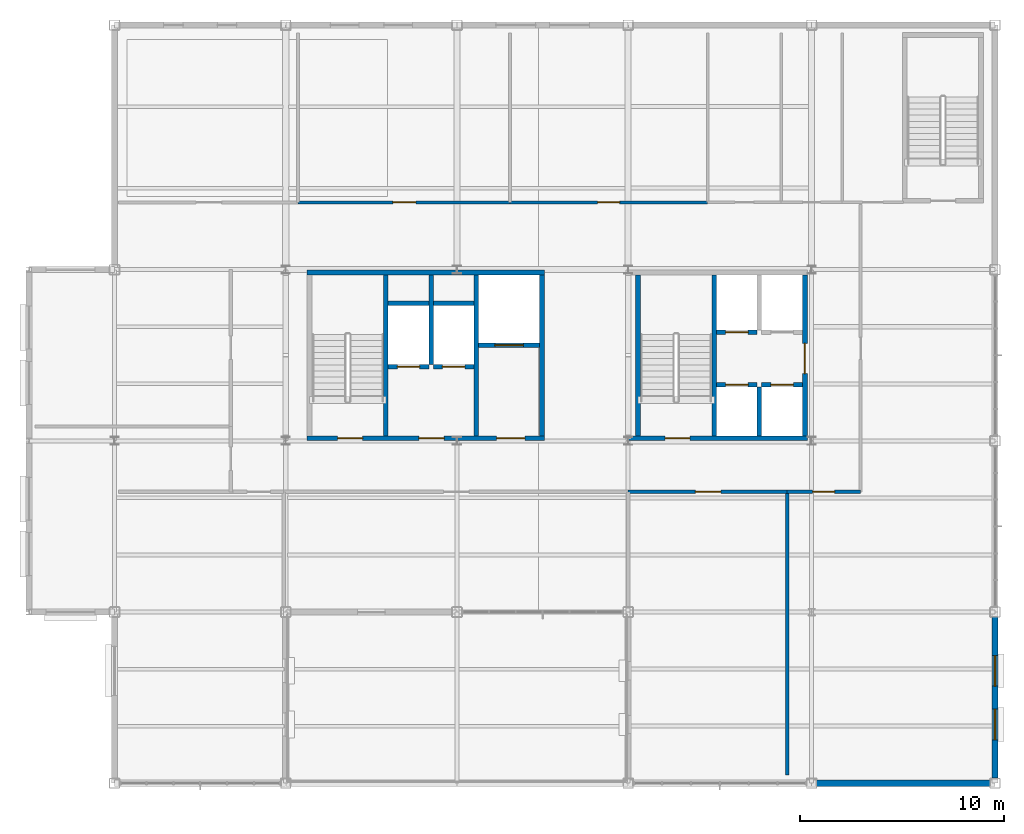
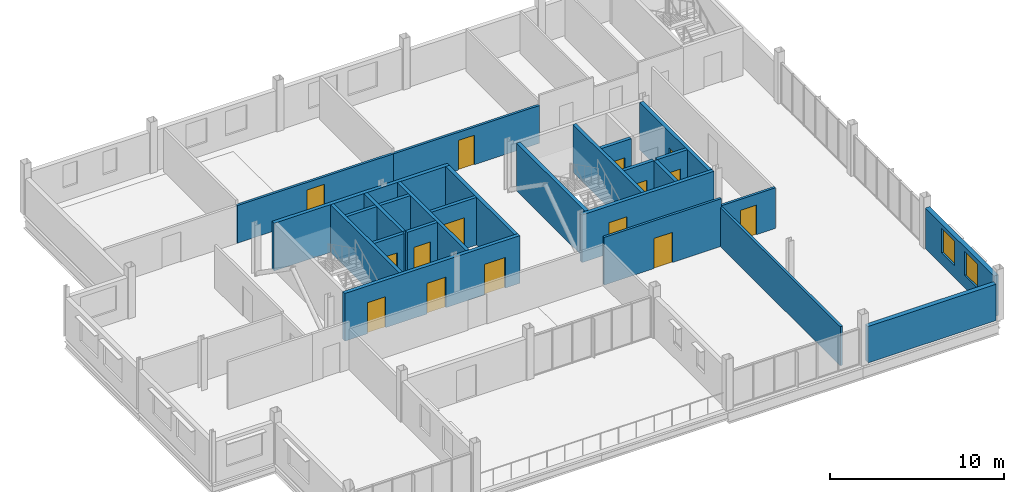
# One storey, part 14 of 20: 26 walls, 15 doors, 2 windows, 17 openings.
"""IFC4 building model written with IfcOpenShell, lengths in metres."""

from ifc_helpers import new_model, si_unit, direction, frame, frame_2d, origin, place, context, subcontext, project, spatial, rectangle, extrude, material, layer, layer_set, type_object, element, fill, save


model = new_model("IFC4")

# Units and contexts
model_context = context("Model", 3, precision=1e-05, world=origin(), true_north=direction((0.0, 1.0)))
body_context = subcontext(model_context, "Body", "Model", "MODEL_VIEW")
ifc_project = project(units=[si_unit("LENGTHUNIT", "METRE"), si_unit("AREAUNIT", "SQUARE_METRE"), si_unit("VOLUMEUNIT", "CUBIC_METRE"), si_unit("PLANEANGLEUNIT", "RADIAN"), si_unit("MASSUNIT", "GRAM", prefix="KILO")], contexts=[model_context])

# Site, building, storey
site_placement = place(None, origin())
site = spatial("IfcSite", under=ifc_project, at=site_placement, CompositionType="ELEMENT")
building_placement = place(site_placement, origin())
building = spatial("IfcBuilding", under=site, at=building_placement, Name="Yukiwa Park Conservatory and Herbarium", CompositionType="ELEMENT")
storey_placement = place(building_placement, frame((0.0, 0.0, 28.199951171875)))
storey = spatial("IfcBuildingStorey", under=building, at=storey_placement, Name="L07", CompositionType="ELEMENT", Elevation=28.199951171875)

# Walls
ifc_material_1 = material(Name="Concrete C40", Category="concrete")
ifc_layer_1 = layer(ifc_material_1, 0.219970703125)
ifc_layer_set_1 = layer_set([ifc_layer_1], Name="Concrete C40")
wall_type_1 = type_object("IfcWallType", Name="WL-CORE-RC220", PredefinedType="SHEAR", material=ifc_layer_set_1)
wall_1_placement = place(storey_placement, frame((138.110107421875, 95.050048828125, 0.0), z_axis=(0.0, 0.0, 1.0), x_axis=(0.0, 1.0, 0.0)))
element("IfcWall", 1, at=wall_1_placement, inside=storey, type_object=wall_type_1, Name="L07 core shear wall 473", PredefinedType="SHEAR", context=body_context, shape_type="SweptSolid", body=[
    extrude(rectangle(XDim=7.89990234375, YDim=0.219970703125, at=frame_2d((3.949951171875, 0.0))), origin(), (0.0, 0.0, 1.0), 3.35205078125),
])
wall_2_placement = place(storey_placement, frame((140.330078125, 98.5400390625, 0.0), z_axis=(0.0, 0.0, 1.0), x_axis=(0.0, 1.0, 0.0)))
element("IfcWall", 2, at=wall_2_placement, inside=storey, type_object=wall_type_1, Name="L07 core shear wall 474", PredefinedType="SHEAR", context=body_context, shape_type="SweptSolid", body=[
    extrude(rectangle(XDim=4.409912109375, YDim=0.219970703125, at=frame_2d((2.205078125, 0.0))), origin(), (0.0, 0.0, 1.0), 3.35205078125),
])
wall_3_placement = place(storey_placement, frame((142.550048828125, 95.050048828125, 0.0), z_axis=(0.0, 0.0, 1.0), x_axis=(0.0, 1.0, 0.0)))
element("IfcWall", 3, at=wall_3_placement, inside=storey, type_object=wall_type_1, Name="L07 core shear wall 475", PredefinedType="SHEAR", context=body_context, shape_type="SweptSolid", body=[
    extrude(rectangle(XDim=7.89990234375, YDim=0.219970703125, at=frame_2d((3.949951171875, 0.0))), origin(), (0.0, 0.0, 1.0), 3.35205078125),
])

# Wall, opening, door
wall_4_placement = place(storey_placement, frame((138.219970703125, 98.429931640625, 0.0), z_axis=(0.0, 0.0, 1.0), x_axis=(1.0, 0.0, 0.0)))
wall_4 = element("IfcWall", 4, at=wall_4_placement, inside=storey, type_object=wall_type_1, Name="L07 core shear wall 477", PredefinedType="SHEAR", context=body_context, shape_type="SweptSolid", body=[
    extrude(rectangle(XDim=2.0, YDim=0.219970703125, at=frame_2d((1.0, 0.0))), origin(), (0.0, 0.0, 1.0), 3.35205078125),
])
opening_1_placement = place(wall_4_placement, frame((0.449951171875, 0.0, 0.0)))
opening_1 = element("IfcOpeningElement", 5, at=opening_1_placement, cuts=wall_4, Name="Opening LD-01", PredefinedType="OPENING", context=body_context, shape_type="SweptSolid", body=[
    extrude(rectangle(XDim=1.10009765625, YDim=2.14990234375, at=frame_2d((0.550048828125, 1.074951171875))), frame((0.0, 0.1201171875, 0.0), z_axis=(0.0, -1.0, 0.0), x_axis=(1.0, 0.0, 0.0)), (0.0, 0.0, 1.0), 0.239990234375),
])
ifc_material_2 = material(Name="Steel Q235B", Category="steel")
door_type_1 = type_object("IfcDoorType", Name="DR-LIFT-LD1100", OperationType="SLIDING_TO_LEFT", PredefinedType="DOOR", material=ifc_material_2)
door_1_placement = place(opening_1_placement, origin())
door_1 = element("IfcDoor", 6, at=door_1_placement, inside=storey, type_object=door_type_1, Name="L07 Firefighting Lift FL1 sliding landing door", OperationType="SLIDING_TO_LEFT", OverallHeight=2.14990234375, OverallWidth=1.10009765625, PredefinedType="DOOR", context=body_context, shape_type="SweptSolid", body=[
    extrude(rectangle(XDim=1.10009765625, YDim=2.14990234375, at=frame_2d((0.550048828125, 1.074951171875))), frame((0.0, 0.02490234375, 0.0), z_axis=(0.0, -1.0, 0.0), x_axis=(1.0, 0.0, 0.0)), (0.0, 0.0, 1.0), 0.050048828125),
])
fill(opening_1, door_1)

wall_5_placement = place(storey_placement, frame((140.43994140625, 98.429931640625, 0.0), z_axis=(0.0, 0.0, 1.0), x_axis=(1.0, 0.0, 0.0)))
wall_5 = element("IfcWall", 7, at=wall_5_placement, inside=storey, type_object=wall_type_1, Name="L07 core shear wall 478", PredefinedType="SHEAR", context=body_context, shape_type="SweptSolid", body=[
    extrude(rectangle(XDim=2.0, YDim=0.219970703125, at=frame_2d((1.0, 0.0))), origin(), (0.0, 0.0, 1.0), 3.35205078125),
])
opening_2_placement = place(wall_5_placement, frame((0.449951171875, 0.0, 0.0)))
opening_2 = element("IfcOpeningElement", 8, at=opening_2_placement, cuts=wall_5, Name="Opening LD-01", PredefinedType="OPENING", context=body_context, shape_type="SweptSolid", body=[
    extrude(rectangle(XDim=1.10009765625, YDim=2.14990234375, at=frame_2d((0.550048828125, 1.074951171875))), frame((0.0, 0.1201171875, 0.0), z_axis=(0.0, -1.0, 0.0), x_axis=(1.0, 0.0, 0.0)), (0.0, 0.0, 1.0), 0.239990234375),
])
door_2_placement = place(opening_2_placement, origin())
door_2 = element("IfcDoor", 9, at=door_2_placement, inside=storey, type_object=door_type_1, Name="L07 Firefighting Lift FL2 sliding landing door", OperationType="SLIDING_TO_LEFT", OverallHeight=2.14990234375, OverallWidth=1.10009765625, PredefinedType="DOOR", context=body_context, shape_type="SweptSolid", body=[
    extrude(rectangle(XDim=1.10009765625, YDim=2.14990234375, at=frame_2d((0.550048828125, 1.074951171875))), frame((0.0, 0.02490234375, 0.0), z_axis=(0.0, -1.0, 0.0), x_axis=(1.0, 0.0, 0.0)), (0.0, 0.0, 1.0), 0.050048828125),
])
fill(opening_2, door_2)

# Walls
for number, where, z_axis, x_axis, name in (
    (10, (138.219970703125, 101.550048828125, 0.0), (0.0, 0.0, 1.0), (1.0, 0.0, 0.0), "L07 core shear wall 479"),
    (11, (140.43994140625, 101.550048828125, 0.0), (0.0, 0.0, 1.0), (1.0, 0.0, 0.0), "L07 core shear wall 480"),
):
    element("IfcWall", number, at=place(storey_placement, frame(where, z_axis=z_axis, x_axis=x_axis)), inside=storey, type_object=wall_type_1, Name=name, PredefinedType="SHEAR", context=body_context, shape_type="SweptSolid", body=[
        extrude(rectangle(XDim=2.0, YDim=0.219970703125, at=frame_2d((1.0, 0.0))), origin(), (0.0, 0.0, 1.0), 3.35205078125),
    ])

# Wall, opening, door
wall_6_placement = place(storey_placement, frame((142.659912109375, 99.489990234375, 0.0), z_axis=(0.0, 0.0, 1.0), x_axis=(1.0, 0.0, 0.0)))
wall_6 = element("IfcWall", 12, at=wall_6_placement, inside=storey, type_object=wall_type_1, Name="L07 core shear wall 481", PredefinedType="SHEAR", context=body_context, shape_type="SweptSolid", body=[
    extrude(rectangle(XDim=3.0, YDim=0.219970703125, at=frame_2d((1.5, 0.0))), origin(), (0.0, 0.0, 1.0), 3.35205078125),
])
opening_3_placement = place(wall_6_placement, frame((0.800048828125, 0.0, 0.0)))
opening_3 = element("IfcOpeningElement", 13, at=opening_3_placement, cuts=wall_6, Name="Opening LD-02", PredefinedType="OPENING", context=body_context, shape_type="SweptSolid", body=[
    extrude(rectangle(XDim=1.39990234375, YDim=2.199951171875, at=frame_2d((0.699951171875, 1.10009765625))), frame((0.0, 0.1201171875, 0.0), z_axis=(0.0, -1.0, 0.0), x_axis=(1.0, 0.0, 0.0)), (0.0, 0.0, 1.0), 0.239990234375),
])
ifc_material_3 = material(Name="Steel Q235B", Category="steel")
door_type_2 = type_object("IfcDoorType", Name="DR-LIFT-LD1400", OperationType="SLIDING_TO_LEFT", PredefinedType="DOOR", material=ifc_material_3)
door_3_placement = place(opening_3_placement, origin())
door_3 = element("IfcDoor", 14, at=door_3_placement, inside=storey, type_object=door_type_2, Name="L07 Goods Lift GL1 sliding landing door", OperationType="SLIDING_TO_LEFT", OverallHeight=2.199951171875, OverallWidth=1.39990234375, PredefinedType="DOOR", context=body_context, shape_type="SweptSolid", body=[
    extrude(rectangle(XDim=1.39990234375, YDim=2.199951171875, at=frame_2d((0.699951171875, 1.10009765625))), frame((0.0, 0.02490234375, 0.0), z_axis=(0.0, -1.0, 0.0), x_axis=(1.0, 0.0, 0.0)), (0.0, 0.0, 1.0), 0.050048828125),
])
fill(opening_3, door_3)

# Wall
wall_7_placement = place(storey_placement, frame((154.219970703125, 95.050048828125, 0.0), z_axis=(0.0, 0.0, 1.0), x_axis=(0.0, 1.0, 0.0)))
element("IfcWall", 15, at=wall_7_placement, inside=storey, type_object=wall_type_1, Name="L07 core shear wall 485", PredefinedType="SHEAR", context=body_context, shape_type="SweptSolid", body=[
    extrude(rectangle(XDim=7.89990234375, YDim=0.219970703125, at=frame_2d((3.949951171875, 0.0))), origin(), (0.0, 0.0, 1.0), 3.35205078125),
])

# Wall, opening, door
wall_8_placement = place(storey_placement, frame((154.330078125, 100.139892578125, 0.0), z_axis=(0.0, 0.0, 1.0), x_axis=(1.0, 0.0, 0.0)))
wall_8 = element("IfcWall", 16, at=wall_8_placement, inside=storey, type_object=wall_type_1, Name="L07 core shear wall 488", PredefinedType="SHEAR", context=body_context, shape_type="SweptSolid", body=[
    extrude(rectangle(XDim=2.0, YDim=0.219970703125, at=frame_2d((1.0, 0.0))), origin(), (0.0, 0.0, 1.0), 3.35205078125),
])
opening_4_placement = place(wall_8_placement, frame((0.449951171875, 0.0, 0.0)))
opening_4 = element("IfcOpeningElement", 17, at=opening_4_placement, cuts=wall_8, Name="Opening LD-01", PredefinedType="OPENING", context=body_context, shape_type="SweptSolid", body=[
    extrude(rectangle(XDim=1.10009765625, YDim=2.14990234375, at=frame_2d((0.550048828125, 1.074951171875))), frame((0.0, 0.1201171875, 0.0), z_axis=(0.0, -1.0, 0.0), x_axis=(1.0, 0.0, 0.0)), (0.0, 0.0, 1.0), 0.239990234375),
])
door_4_placement = place(opening_4_placement, origin())
door_4 = element("IfcDoor", 18, at=door_4_placement, inside=storey, type_object=door_type_1, Name="L07 Passenger Lift LP1 sliding landing door", OperationType="SLIDING_TO_LEFT", OverallHeight=2.14990234375, OverallWidth=1.10009765625, PredefinedType="DOOR", context=body_context, shape_type="SweptSolid", body=[
    extrude(rectangle(XDim=1.10009765625, YDim=2.14990234375, at=frame_2d((0.550048828125, 1.074951171875))), frame((0.0, 0.02490234375, 0.0), z_axis=(0.0, -1.0, 0.0), x_axis=(1.0, 0.0, 0.0)), (0.0, 0.0, 1.0), 0.050048828125),
])
fill(opening_4, door_4)

# Wall
wall_9_placement = place(storey_placement, frame((156.43994140625, 95.050048828125, 0.0), z_axis=(0.0, 0.0, 1.0), x_axis=(0.0, 1.0, 0.0)))
element("IfcWall", 19, at=wall_9_placement, inside=storey, type_object=wall_type_1, Name="L07 core shear wall 490", PredefinedType="SHEAR", context=body_context, shape_type="SweptSolid", body=[
    extrude(rectangle(XDim=2.39990234375, YDim=0.219970703125, at=frame_2d((1.199951171875, 0.0))), origin(), (0.0, 0.0, 1.0), 3.35205078125),
])

# Wall, opening, door
wall_10_placement = place(storey_placement, frame((154.330078125, 97.56005859375, 0.0), z_axis=(0.0, 0.0, 1.0), x_axis=(1.0, 0.0, 0.0)))
wall_10 = element("IfcWall", 20, at=wall_10_placement, inside=storey, type_object=wall_type_1, Name="L07 core shear wall 491", PredefinedType="SHEAR", context=body_context, shape_type="SweptSolid", body=[
    extrude(rectangle(XDim=2.0, YDim=0.219970703125, at=frame_2d((1.0, 0.0))), origin(), (0.0, 0.0, 1.0), 3.35205078125),
])
opening_5_placement = place(wall_10_placement, frame((0.449951171875, 0.0, 0.0)))
opening_5 = element("IfcOpeningElement", 21, at=opening_5_placement, cuts=wall_10, Name="Opening LD-01", PredefinedType="OPENING", context=body_context, shape_type="SweptSolid", body=[
    extrude(rectangle(XDim=1.10009765625, YDim=2.14990234375, at=frame_2d((0.550048828125, 1.074951171875))), frame((0.0, 0.1201171875, 0.0), z_axis=(0.0, -1.0, 0.0), x_axis=(1.0, 0.0, 0.0)), (0.0, 0.0, 1.0), 0.239990234375),
])
door_5_placement = place(opening_5_placement, origin())
door_5 = element("IfcDoor", 22, at=door_5_placement, inside=storey, type_object=door_type_1, Name="L07 Passenger Lift LP3 sliding landing door", OperationType="SLIDING_TO_LEFT", OverallHeight=2.14990234375, OverallWidth=1.10009765625, PredefinedType="DOOR", context=body_context, shape_type="SweptSolid", body=[
    extrude(rectangle(XDim=1.10009765625, YDim=2.14990234375, at=frame_2d((0.550048828125, 1.074951171875))), frame((0.0, 0.02490234375, 0.0), z_axis=(0.0, -1.0, 0.0), x_axis=(1.0, 0.0, 0.0)), (0.0, 0.0, 1.0), 0.050048828125),
])
fill(opening_5, door_5)

wall_11_placement = place(storey_placement, frame((156.550048828125, 97.56005859375, 0.0), z_axis=(0.0, 0.0, 1.0), x_axis=(1.0, 0.0, 0.0)))
wall_11 = element("IfcWall", 23, at=wall_11_placement, inside=storey, type_object=wall_type_1, Name="L07 core shear wall 492", PredefinedType="SHEAR", context=body_context, shape_type="SweptSolid", body=[
    extrude(rectangle(XDim=2.0, YDim=0.219970703125, at=frame_2d((1.0, 0.0))), origin(), (0.0, 0.0, 1.0), 3.35205078125),
])
opening_6_placement = place(wall_11_placement, frame((0.449951171875, 0.0, 0.0)))
opening_6 = element("IfcOpeningElement", 24, at=opening_6_placement, cuts=wall_11, Name="Opening LD-01", PredefinedType="OPENING", context=body_context, shape_type="SweptSolid", body=[
    extrude(rectangle(XDim=1.10009765625, YDim=2.14990234375, at=frame_2d((0.550048828125, 1.074951171875))), frame((0.0, 0.1201171875, 0.0), z_axis=(0.0, -1.0, 0.0), x_axis=(1.0, 0.0, 0.0)), (0.0, 0.0, 1.0), 0.239990234375),
])
door_6_placement = place(opening_6_placement, origin())
door_6 = element("IfcDoor", 25, at=door_6_placement, inside=storey, type_object=door_type_1, Name="L07 Passenger Lift LP4 sliding landing door", OperationType="SLIDING_TO_LEFT", OverallHeight=2.14990234375, OverallWidth=1.10009765625, PredefinedType="DOOR", context=body_context, shape_type="SweptSolid", body=[
    extrude(rectangle(XDim=1.10009765625, YDim=2.14990234375, at=frame_2d((0.550048828125, 1.074951171875))), frame((0.0, 0.02490234375, 0.0), z_axis=(0.0, -1.0, 0.0), x_axis=(1.0, 0.0, 0.0)), (0.0, 0.0, 1.0), 0.050048828125),
])
fill(opening_6, door_6)

# Wall, openings, doors
ifc_material_4 = material(Name="Concrete C50", Category="concrete")
ifc_layer_2 = layer(ifc_material_4, 0.239990234375)
ifc_layer_set_2 = layer_set([ifc_layer_2], Name="Concrete C50")
wall_type_2 = type_object("IfcWallType", Name="WL-CORE-RC240", PredefinedType="SHEAR", material=ifc_layer_set_2)
wall_12_placement = place(storey_placement, frame((134.25, 94.929931640625, 0.0), z_axis=(0.0, 0.0, 1.0), x_axis=(1.0, 0.0, 0.0)))
wall_12 = element("IfcWall", 26, at=wall_12_placement, inside=storey, type_object=wall_type_2, Name="L07 core shear wall 470", PredefinedType="SHEAR", context=body_context, shape_type="SweptSolid", body=[
    extrude(rectangle(XDim=11.64990234375, YDim=0.239990234375, at=frame_2d((5.824951171875, 0.0))), origin(), (0.0, 0.0, 1.0), 3.35205078125),
])
opening_7_placement = place(wall_12_placement, frame((1.5, 0.0, 0.0)))
opening_7 = element("IfcOpeningElement", 27, at=opening_7_placement, cuts=wall_12, Name="Opening SD-01", PredefinedType="OPENING", context=body_context, shape_type="SweptSolid", body=[
    extrude(rectangle(XDim=1.219970703125, YDim=2.179931640625, at=frame_2d((0.60986328125, 1.08984375))), frame((0.0, 0.1298828125, 0.0), z_axis=(0.0, -1.0, 0.0), x_axis=(1.0, 0.0, 0.0)), (0.0, 0.0, 1.0), 0.260009765625),
])
opening_8_placement = place(wall_12_placement, frame((5.47998046875, 0.0, 0.0)))
opening_8 = element("IfcOpeningElement", 28, at=opening_8_placement, cuts=wall_12, Name="Opening FD-02", PredefinedType="OPENING", context=body_context, shape_type="SweptSolid", body=[
    extrude(rectangle(XDim=1.239990234375, YDim=2.14990234375, at=frame_2d((0.6201171875, 1.074951171875))), frame((0.0, 0.1298828125, 0.0), z_axis=(0.0, -1.0, 0.0), x_axis=(1.0, 0.0, 0.0)), (0.0, 0.0, 1.0), 0.260009765625),
])
opening_9_placement = place(wall_12_placement, frame((9.300048828125, 0.0, 0.0)))
opening_9 = element("IfcOpeningElement", 29, at=opening_9_placement, cuts=wall_12, Name="Opening FD-06", PredefinedType="OPENING", context=body_context, shape_type="SweptSolid", body=[
    extrude(rectangle(XDim=1.3798828125, YDim=2.14990234375, at=frame_2d((0.68994140625, 1.074951171875))), frame((0.0, 0.1298828125, 0.0), z_axis=(0.0, -1.0, 0.0), x_axis=(1.0, 0.0, 0.0)), (0.0, 0.0, 1.0), 0.260009765625),
])
ifc_material_5 = material(Name="Steel Q235B", Category="steel")
door_type_3 = type_object("IfcDoorType", Name="DR-FIRE-FD60-1400", OperationType="DOUBLE_DOOR_SINGLE_SWING", PredefinedType="DOOR", material=ifc_material_5)
door_7_placement = place(opening_9_placement, frame((1.3798828125, 0.0, 0.0), z_axis=(0.0, 0.0, 1.0), x_axis=(-1.0, 0.0, 0.0)))
door_7 = element("IfcDoor", 30, at=door_7_placement, inside=storey, type_object=door_type_3, Name="L07 Goods Lift Lobby double fire door", OperationType="DOUBLE_DOOR_SINGLE_SWING", OverallHeight=2.14990234375, OverallWidth=1.3798828125, PredefinedType="DOOR", context=body_context, shape_type="SweptSolid", body=[
    extrude(rectangle(XDim=1.3798828125, YDim=2.14990234375, at=frame_2d((0.68994140625, 1.074951171875))), frame((0.0, 0.02490234375, 0.0), z_axis=(0.0, -1.0, 0.0), x_axis=(1.0, 0.0, 0.0)), (0.0, 0.0, 1.0), 0.050048828125),
])
fill(opening_9, door_7)
ifc_material_6 = material(Name="Steel Q235B", Category="steel")
door_type_4 = type_object("IfcDoorType", Name="DR-FIRE-FD90-1200", OperationType="SINGLE_SWING_RIGHT", PredefinedType="DOOR", material=ifc_material_6)
door_8_placement = place(opening_8_placement, frame((1.239990234375, 0.0, 0.0), z_axis=(0.0, 0.0, 1.0), x_axis=(-1.0, 0.0, 0.0)))
door_8 = element("IfcDoor", 31, at=door_8_placement, inside=storey, type_object=door_type_4, Name="L07 Firefighting Lift Lobby fire door", OperationType="SINGLE_SWING_RIGHT", OverallHeight=2.14990234375, OverallWidth=1.239990234375, PredefinedType="DOOR", context=body_context, shape_type="SweptSolid", body=[
    extrude(rectangle(XDim=1.239990234375, YDim=2.14990234375, at=frame_2d((0.6201171875, 1.074951171875))), frame((0.0, 0.02490234375, 0.0), z_axis=(0.0, -1.0, 0.0), x_axis=(1.0, 0.0, 0.0)), (0.0, 0.0, 1.0), 0.050048828125),
])
fill(opening_8, door_8)
ifc_material_7 = material(Name="Steel Q235B", Category="steel")
door_type_5 = type_object("IfcDoorType", Name="DR-STAIR-FD90-1200", OperationType="SINGLE_SWING_LEFT", PredefinedType="DOOR", material=ifc_material_7)
door_9_placement = place(opening_7_placement, origin())
door_9 = element("IfcDoor", 32, at=door_9_placement, inside=storey, type_object=door_type_5, Name="L07 Stairwell ST-T1 fire door", OperationType="SINGLE_SWING_LEFT", OverallHeight=2.179931640625, OverallWidth=1.219970703125, PredefinedType="DOOR", context=body_context, shape_type="SweptSolid", body=[
    extrude(rectangle(XDim=1.219970703125, YDim=2.179931640625, at=frame_2d((0.60986328125, 1.08984375))), frame((0.0, 0.02490234375, 0.0), z_axis=(0.0, -1.0, 0.0), x_axis=(1.0, 0.0, 0.0)), (0.0, 0.0, 1.0), 0.050048828125),
])
fill(opening_7, door_9)

# Walls
wall_13_placement = place(storey_placement, frame((134.25, 103.070068359375, 0.0), z_axis=(0.0, 0.0, 1.0), x_axis=(1.0, 0.0, 0.0)))
element("IfcWall", 33, at=wall_13_placement, inside=storey, type_object=wall_type_2, Name="L07 core shear wall 471", PredefinedType="SHEAR", context=body_context, shape_type="SweptSolid", body=[
    extrude(rectangle(XDim=11.64990234375, YDim=0.239990234375, at=frame_2d((5.824951171875, 0.0))), origin(), (0.0, 0.0, 1.0), 3.35205078125),
])
wall_14_placement = place(storey_placement, frame((145.780029296875, 95.050048828125, 0.0), z_axis=(0.0, 0.0, 1.0), x_axis=(0.0, 1.0, 0.0)))
element("IfcWall", 34, at=wall_14_placement, inside=storey, type_object=wall_type_2, Name="L07 core shear wall 476", PredefinedType="SHEAR", context=body_context, shape_type="SweptSolid", body=[
    extrude(rectangle(XDim=7.89990234375, YDim=0.239990234375, at=frame_2d((3.949951171875, 0.0))), origin(), (0.0, 0.0, 1.0), 3.35205078125),
])

# Wall, opening, door
wall_15_placement = place(storey_placement, frame((150.02001953125, 94.929931640625, 0.0), z_axis=(0.0, 0.0, 1.0), x_axis=(1.0, 0.0, 0.0)))
wall_15 = element("IfcWall", 35, at=wall_15_placement, inside=storey, type_object=wall_type_2, Name="L07 core shear wall 482", PredefinedType="SHEAR", context=body_context, shape_type="SweptSolid", body=[
    extrude(rectangle(XDim=8.77001953125, YDim=0.239990234375, at=frame_2d((4.385009765625, 0.0))), origin(), (0.0, 0.0, 1.0), 3.35205078125),
])
opening_10_placement = place(wall_15_placement, frame((1.7900390625, 0.0, 0.0)))
opening_10 = element("IfcOpeningElement", 36, at=opening_10_placement, cuts=wall_15, Name="Opening SD-01", PredefinedType="OPENING", context=body_context, shape_type="SweptSolid", body=[
    extrude(rectangle(XDim=1.219970703125, YDim=2.179931640625, at=frame_2d((0.60986328125, 1.08984375))), frame((0.0, 0.1298828125, 0.0), z_axis=(0.0, -1.0, 0.0), x_axis=(1.0, 0.0, 0.0)), (0.0, 0.0, 1.0), 0.260009765625),
])
door_10_placement = place(opening_10_placement, origin())
door_10 = element("IfcDoor", 37, at=door_10_placement, inside=storey, type_object=door_type_5, Name="L07 Stairwell ST-T2 fire door", OperationType="SINGLE_SWING_LEFT", OverallHeight=2.179931640625, OverallWidth=1.219970703125, PredefinedType="DOOR", context=body_context, shape_type="SweptSolid", body=[
    extrude(rectangle(XDim=1.219970703125, YDim=2.179931640625, at=frame_2d((0.60986328125, 1.08984375))), frame((0.0, 0.02490234375, 0.0), z_axis=(0.0, -1.0, 0.0), x_axis=(1.0, 0.0, 0.0)), (0.0, 0.0, 1.0), 0.050048828125),
])
fill(opening_10, door_10)

# Wall
wall_16_placement = place(storey_placement, frame((150.47998046875, 95.050048828125, 0.0), z_axis=(0.0, 0.0, 1.0), x_axis=(0.0, 1.0, 0.0)))
element("IfcWall", 38, at=wall_16_placement, inside=storey, type_object=wall_type_2, Name="L07 core shear wall 484", PredefinedType="SHEAR", context=body_context, shape_type="SweptSolid", body=[
    extrude(rectangle(XDim=7.89990234375, YDim=0.239990234375, at=frame_2d((3.949951171875, 0.0))), origin(), (0.0, 0.0, 1.0), 3.35205078125),
])

# Wall, opening, door
wall_17_placement = place(storey_placement, frame((158.669921875, 95.050048828125, 0.0), z_axis=(0.0, 0.0, 1.0), x_axis=(0.0, 1.0, 0.0)))
wall_17 = element("IfcWall", 39, at=wall_17_placement, inside=storey, type_object=wall_type_2, Name="L07 core shear wall 486", PredefinedType="SHEAR", context=body_context, shape_type="SweptSolid", body=[
    extrude(rectangle(XDim=7.89990234375, YDim=0.239990234375, at=frame_2d((3.949951171875, 0.0))), origin(), (0.0, 0.0, 1.0), 3.35205078125),
])
opening_11_placement = place(wall_17_placement, frame((3.050048828125, 0.0, 0.0)))
opening_11 = element("IfcOpeningElement", 40, at=opening_11_placement, cuts=wall_17, Name="Opening FD-07", PredefinedType="OPENING", context=body_context, shape_type="SweptSolid", body=[
    extrude(rectangle(XDim=1.47998046875, YDim=2.219970703125, at=frame_2d((0.739990234375, 1.10986328125))), frame((0.0, 0.1298828125, 0.0), z_axis=(0.0, -1.0, 0.0), x_axis=(1.0, 0.0, 0.0)), (0.0, 0.0, 1.0), 0.260009765625),
])
ifc_material_8 = material(Name="Steel Q235B", Category="steel")
door_type_6 = type_object("IfcDoorType", Name="DR-FIRE-FD60-1500", OperationType="DOUBLE_DOOR_SINGLE_SWING", PredefinedType="DOOR", material=ifc_material_8)
door_11_placement = place(opening_11_placement, origin())
door_11 = element("IfcDoor", 41, at=door_11_placement, inside=storey, type_object=door_type_6, Name="L07 Tower Passenger Lift Lobby double fire door", OperationType="DOUBLE_DOOR_SINGLE_SWING", OverallHeight=2.219970703125, OverallWidth=1.47998046875, PredefinedType="DOOR", context=body_context, shape_type="SweptSolid", body=[
    extrude(rectangle(XDim=1.47998046875, YDim=2.219970703125, at=frame_2d((0.739990234375, 1.10986328125))), frame((0.0, 0.02490234375, 0.0), z_axis=(0.0, -1.0, 0.0), x_axis=(1.0, 0.0, 0.0)), (0.0, 0.0, 1.0), 0.050048828125),
])
fill(opening_11, door_11)

# Wall
ifc_material_9 = material(Name="Pale Granite Cladding", Category="masonry")
ifc_layer_3 = layer(ifc_material_9, 0.300048828125)
ifc_layer_set_3 = layer_set([ifc_layer_3], Name="Pale Granite Cladding")
wall_type_3 = type_object("IfcWallType", Name="WL-EXT-GRAN-300", PredefinedType="SOLIDWALL", material=ifc_layer_set_3)
wall_18_placement = place(storey_placement, frame((159.25, 78.0, 0.0), z_axis=(0.0, 0.0, 1.0), x_axis=(1.0, 0.0, 0.0)))
element("IfcWall", 42, at=wall_18_placement, inside=storey, type_object=wall_type_3, Name="L07 exterior envelope wall 307", PredefinedType="SOLIDWALL", context=body_context, shape_type="SweptSolid", body=[
    extrude(rectangle(XDim=8.5, YDim=0.300048828125, at=frame_2d((4.25, 0.0))), origin(), (0.0, 0.0, 1.0), 2.56005859375),
])

# Wall, openings, windows
wall_19_placement = place(storey_placement, frame((168.0, 78.25, 0.0), z_axis=(0.0, 0.0, 1.0), x_axis=(0.0, 1.0, 0.0)))
wall_19 = element("IfcWall", 43, at=wall_19_placement, inside=storey, type_object=wall_type_3, Name="L07 exterior envelope wall 308", PredefinedType="SOLIDWALL", context=body_context, shape_type="SweptSolid", body=[
    extrude(rectangle(XDim=7.89990234375, YDim=0.300048828125, at=frame_2d((3.949951171875, 0.0))), origin(), (0.0, 0.0, 1.0), 2.85205078125),
])
opening_12_placement = place(wall_19_placement, frame((1.883056640625, 0.0, 0.85009765625)))
opening_12 = element("IfcOpeningElement", 44, at=opening_12_placement, cuts=wall_19, Name="Opening W-05", PredefinedType="OPENING", context=body_context, shape_type="SweptSolid", body=[
    extrude(rectangle(XDim=1.5, YDim=1.699951171875, at=frame_2d((0.75, 0.85009765625))), frame((0.0, 0.16015625, 0.0), z_axis=(0.0, -1.0, 0.0), x_axis=(1.0, 0.0, 0.0)), (0.0, 0.0, 1.0), 0.320068359375),
])
opening_13_placement = place(wall_19_placement, frame((4.51708984375, 0.0, 0.85009765625)))
opening_13 = element("IfcOpeningElement", 45, at=opening_13_placement, cuts=wall_19, Name="Opening W-05", PredefinedType="OPENING", context=body_context, shape_type="SweptSolid", body=[
    extrude(rectangle(XDim=1.5, YDim=1.699951171875, at=frame_2d((0.75, 0.85009765625))), frame((0.0, 0.16015625, 0.0), z_axis=(0.0, -1.0, 0.0), x_axis=(1.0, 0.0, 0.0)), (0.0, 0.0, 1.0), 0.320068359375),
])
ifc_material_10 = material(Name="Triple Low-E Insulated Glass", Category="glass")
window_type = type_object("IfcWindowType", Name="WN-TW-1500X2100", PartitioningType="SINGLE_PANEL", PredefinedType="WINDOW", material=ifc_material_10)
window_1_placement = place(opening_12_placement, origin())
window_1 = element("IfcWindow", 46, at=window_1_placement, inside=storey, type_object=window_type, Name="L07 deep-reveal triple-glazed window 240", OverallHeight=1.699951171875, OverallWidth=1.5, PartitioningType="SINGLE_PANEL", PredefinedType="WINDOW", context=body_context, shape_type="SweptSolid", body=[
    extrude(rectangle(XDim=1.5, YDim=1.699951171875, at=frame_2d((0.75, 0.85009765625))), frame((0.0, 0.030029296875, 0.0), z_axis=(0.0, -1.0, 0.0), x_axis=(1.0, 0.0, 0.0)), (0.0, 0.0, 1.0), 0.06005859375),
])
fill(opening_12, window_1)
window_2_placement = place(opening_13_placement, origin())
window_2 = element("IfcWindow", 47, at=window_2_placement, inside=storey, type_object=window_type, Name="L07 deep-reveal triple-glazed window 241", OverallHeight=1.699951171875, OverallWidth=1.5, PartitioningType="SINGLE_PANEL", PredefinedType="WINDOW", context=body_context, shape_type="SweptSolid", body=[
    extrude(rectangle(XDim=1.5, YDim=1.699951171875, at=frame_2d((0.75, 0.85009765625))), frame((0.0, 0.030029296875, 0.0), z_axis=(0.0, -1.0, 0.0), x_axis=(1.0, 0.0, 0.0)), (0.0, 0.0, 1.0), 0.06005859375),
])
fill(opening_13, window_2)

# Wall, opening, door
ifc_material_11 = material(Name="Gypsum Board Partition", Category="gypsum")
ifc_layer_4 = layer(ifc_material_11, 0.159912109375)
ifc_layer_set_4 = layer_set([ifc_layer_4], Name="Gypsum Board Partition")
wall_type_4 = type_object("IfcWallType", Name="WL-PART-GYP-160", PredefinedType="PARTITIONING", material=ifc_layer_set_4)
wall_20_placement = place(storey_placement, frame((150.0, 92.300048828125, 0.0), z_axis=(0.0, 0.0, 1.0), x_axis=(1.0, 0.0, 0.0)))
wall_20 = element("IfcWall", 48, at=wall_20_placement, inside=storey, type_object=wall_type_4, Name="L07 interior partition wall 509", PredefinedType="PARTITIONING", context=body_context, shape_type="SweptSolid", body=[
    extrude(rectangle(XDim=7.800048828125, YDim=0.159912109375, at=frame_2d((3.89990234375, 0.0))), origin(), (0.0, 0.0, 1.0), 3.35205078125),
])
opening_14_placement = place(wall_20_placement, frame((3.300048828125, 0.0, 0.0)))
opening_14 = element("IfcOpeningElement", 49, at=opening_14_placement, cuts=wall_20, Name="Opening LD-12", PredefinedType="OPENING", context=body_context, shape_type="SweptSolid", body=[
    extrude(rectangle(XDim=1.25, YDim=2.1201171875, at=frame_2d((0.625, 1.06005859375))), frame((0.0, 0.08984375, 0.0), z_axis=(0.0, -1.0, 0.0), x_axis=(1.0, 0.0, 0.0)), (0.0, 0.0, 1.0), 0.179931640625),
])
ifc_material_12 = material(Name="Steel Q235B", Category="steel")
door_type_7 = type_object("IfcDoorType", Name="DR-LAB-1200", OperationType="SINGLE_SWING_LEFT", PredefinedType="DOOR", material=ifc_material_12)
door_12_placement = place(opening_14_placement, origin())
door_12 = element("IfcDoor", 50, at=door_12_placement, inside=storey, type_object=door_type_7, Name="L07 Phytochemistry Lab door", OperationType="SINGLE_SWING_LEFT", OverallHeight=2.1201171875, OverallWidth=1.25, PredefinedType="DOOR", context=body_context, shape_type="SweptSolid", body=[
    extrude(rectangle(XDim=1.25, YDim=2.1201171875, at=frame_2d((0.625, 1.06005859375))), frame((0.0, 0.02490234375, 0.0), z_axis=(0.0, -1.0, 0.0), x_axis=(1.0, 0.0, 0.0)), (0.0, 0.0, 1.0), 0.050048828125),
])
fill(opening_14, door_12)

wall_21_placement = place(storey_placement, frame((157.800048828125, 92.300048828125, 0.0), z_axis=(0.0, 0.0, 1.0), x_axis=(1.0, 0.0, 0.0)))
wall_21 = element("IfcWall", 51, at=wall_21_placement, inside=storey, type_object=wall_type_4, Name="L07 interior partition wall 510", PredefinedType="PARTITIONING", context=body_context, shape_type="SweptSolid", body=[
    extrude(rectangle(XDim=3.599853515625, YDim=0.159912109375, at=frame_2d((1.7998046875, 0.0))), origin(), (0.0, 0.0, 1.0), 2.85205078125),
])
opening_15_placement = place(wall_21_placement, frame((1.25, 0.0, 0.0)))
opening_15 = element("IfcOpeningElement", 52, at=opening_15_placement, cuts=wall_21, Name="Opening ID-11", PredefinedType="OPENING", context=body_context, shape_type="SweptSolid", body=[
    extrude(rectangle(XDim=1.080078125, YDim=2.080078125, at=frame_2d((0.5400390625, 1.0400390625))), frame((0.0, 0.08984375, 0.0), z_axis=(0.0, -1.0, 0.0), x_axis=(1.0, 0.0, 0.0)), (0.0, 0.0, 1.0), 0.179931640625),
])
ifc_material_13 = material(Name="Charred Larch Cladding", Category="wood")
door_type_8 = type_object("IfcDoorType", Name="DR-INT-1100", OperationType="SINGLE_SWING_RIGHT", PredefinedType="DOOR", material=ifc_material_13)
door_13_placement = place(opening_15_placement, origin())
door_13 = element("IfcDoor", 53, at=door_13_placement, inside=storey, type_object=door_type_8, Name="L07 Colloquium Room door", OperationType="SINGLE_SWING_RIGHT", OverallHeight=2.080078125, OverallWidth=1.080078125, PredefinedType="DOOR", context=body_context, shape_type="SweptSolid", body=[
    extrude(rectangle(XDim=1.080078125, YDim=2.080078125, at=frame_2d((0.5400390625, 1.0400390625))), frame((0.0, 0.02490234375, 0.0), z_axis=(0.0, -1.0, 0.0), x_axis=(1.0, 0.0, 0.0)), (0.0, 0.0, 1.0), 0.050048828125),
])
fill(opening_15, door_13)

# Wall
wall_22_placement = place(storey_placement, frame((157.800048828125, 78.39990234375, 0.0), z_axis=(0.0, 0.0, 1.0), x_axis=(0.0, 1.0, 0.0)))
element("IfcWall", 54, at=wall_22_placement, inside=storey, type_object=wall_type_4, Name="L07 interior partition wall 514", PredefinedType="PARTITIONING", context=body_context, shape_type="SweptSolid", body=[
    extrude(rectangle(XDim=13.900146484375, YDim=0.159912109375, at=frame_2d((6.9501953125, 0.0))), origin(), (0.0, 0.0, 1.0), 2.751953125),
])

# Wall, opening, door
wall_23_placement = place(storey_placement, frame((133.800048828125, 106.5, 0.0), z_axis=(0.0, 0.0, 1.0), x_axis=(1.0, 0.0, 0.0)))
wall_23 = element("IfcWall", 55, at=wall_23_placement, inside=storey, type_object=wall_type_4, Name="L07 interior partition wall 516", PredefinedType="PARTITIONING", context=body_context, shape_type="SweptSolid", body=[
    extrude(rectangle(XDim=10.39990234375, YDim=0.159912109375, at=frame_2d((5.199951171875, 0.0))), origin(), (0.0, 0.0, 1.0), 2.652099609375),
])
opening_16_placement = place(wall_23_placement, frame((4.64990234375, 0.0, 0.0)))
opening_16 = element("IfcOpeningElement", 56, at=opening_16_placement, cuts=wall_23, Name="Opening LD-11", PredefinedType="OPENING", context=body_context, shape_type="SweptSolid", body=[
    extrude(rectangle(XDim=1.139892578125, YDim=2.1201171875, at=frame_2d((0.56982421875, 1.06005859375))), frame((0.0, 0.08984375, 0.0), z_axis=(0.0, -1.0, 0.0), x_axis=(1.0, 0.0, 0.0)), (0.0, 0.0, 1.0), 0.179931640625),
])
ifc_material_14 = material(Name="Steel Q235B", Category="steel")
door_type_9 = type_object("IfcDoorType", Name="DR-LAB-1100", OperationType="SINGLE_SWING_RIGHT", PredefinedType="DOOR", material=ifc_material_14)
door_14_placement = place(opening_16_placement, origin())
door_14 = element("IfcDoor", 57, at=door_14_placement, inside=storey, type_object=door_type_9, Name="L07 Mycology Archive door", OperationType="SINGLE_SWING_RIGHT", OverallHeight=2.1201171875, OverallWidth=1.139892578125, PredefinedType="DOOR", context=body_context, shape_type="SweptSolid", body=[
    extrude(rectangle(XDim=1.139892578125, YDim=2.1201171875, at=frame_2d((0.56982421875, 1.06005859375))), frame((0.0, 0.02490234375, 0.0), z_axis=(0.0, -1.0, 0.0), x_axis=(1.0, 0.0, 0.0)), (0.0, 0.0, 1.0), 0.050048828125),
])
fill(opening_16, door_14)

wall_24_placement = place(storey_placement, frame((144.199951171875, 106.5, 0.0), z_axis=(0.0, 0.0, 1.0), x_axis=(1.0, 0.0, 0.0)))
wall_24 = element("IfcWall", 58, at=wall_24_placement, inside=storey, type_object=wall_type_4, Name="L07 interior partition wall 517", PredefinedType="PARTITIONING", context=body_context, shape_type="SweptSolid", body=[
    extrude(rectangle(XDim=9.699951171875, YDim=0.159912109375, at=frame_2d((4.85009765625, 0.0))), origin(), (0.0, 0.0, 1.0), 2.652099609375),
])
opening_17_placement = place(wall_24_placement, frame((4.300048828125, 0.0, 0.0)))
opening_17 = element("IfcOpeningElement", 59, at=opening_17_placement, cuts=wall_24, Name="Opening ID-11", PredefinedType="OPENING", context=body_context, shape_type="SweptSolid", body=[
    extrude(rectangle(XDim=1.080078125, YDim=2.080078125, at=frame_2d((0.5400390625, 1.0400390625))), frame((0.0, 0.08984375, 0.0), z_axis=(0.0, -1.0, 0.0), x_axis=(1.0, 0.0, 0.0)), (0.0, 0.0, 1.0), 0.179931640625),
])
door_15_placement = place(opening_17_placement, origin())
door_15 = element("IfcDoor", 60, at=door_15_placement, inside=storey, type_object=door_type_8, Name="L07 Visiting Researchers door", OperationType="SINGLE_SWING_RIGHT", OverallHeight=2.080078125, OverallWidth=1.080078125, PredefinedType="DOOR", context=body_context, shape_type="SweptSolid", body=[
    extrude(rectangle(XDim=1.080078125, YDim=2.080078125, at=frame_2d((0.5400390625, 1.0400390625))), frame((0.0, 0.02490234375, 0.0), z_axis=(0.0, -1.0, 0.0), x_axis=(1.0, 0.0, 0.0)), (0.0, 0.0, 1.0), 0.050048828125),
])
fill(opening_17, door_15)

save(model, "model.ifc")
